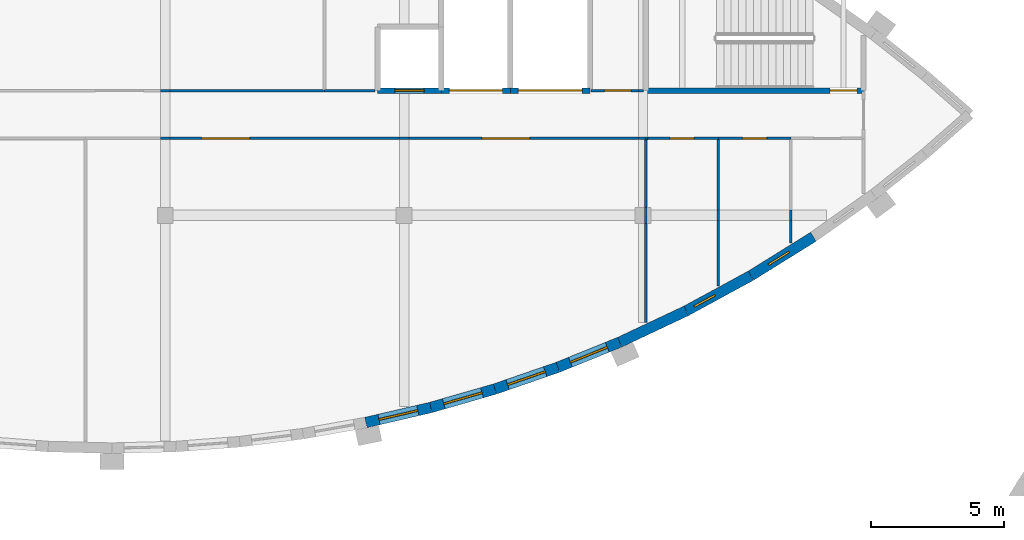
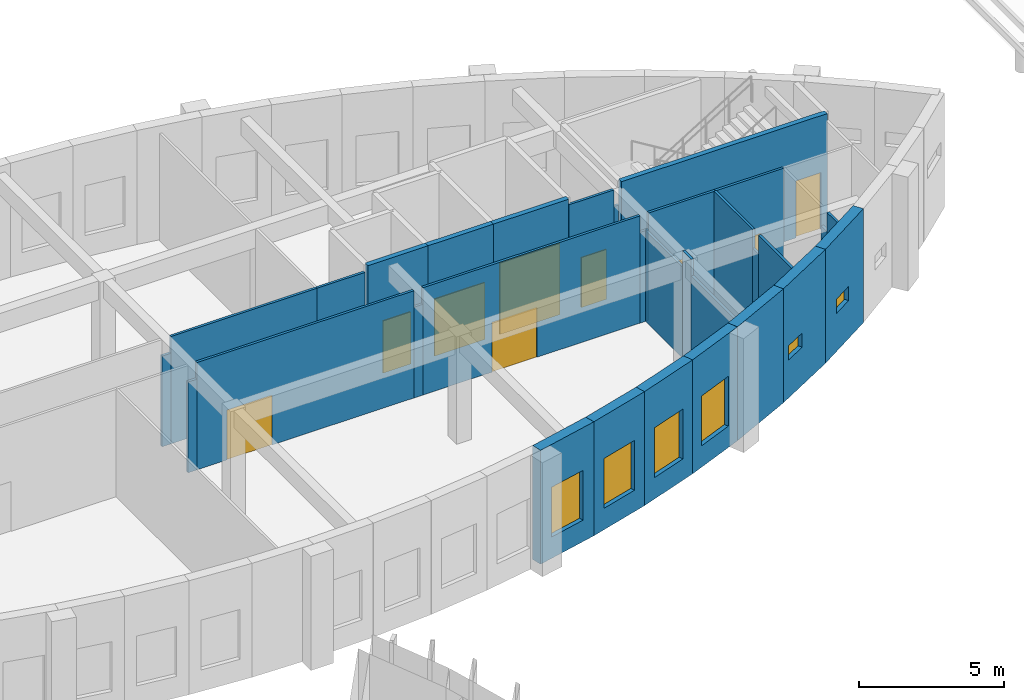
# One storey, part 66 of 93: 32 walls, 9 doors, 6 windows, 15 openings.
"""IFC4 building model written with IfcOpenShell, lengths in metres."""

from ifc_helpers import new_model, si_unit, direction, frame, frame_2d, origin, place, context, subcontext, project, spatial, rectangle, extrude, material, layer, layer_set, type_object, element, fill, save


model = new_model("IFC4")

# Units and contexts
model_context = context("Model", 3, precision=1e-05, world=origin(), true_north=direction((0.0, 1.0)))
body_context = subcontext(model_context, "Body", "Model", "MODEL_VIEW")
ifc_project = project(units=[si_unit("LENGTHUNIT", "METRE"), si_unit("AREAUNIT", "SQUARE_METRE"), si_unit("VOLUMEUNIT", "CUBIC_METRE"), si_unit("PLANEANGLEUNIT", "RADIAN"), si_unit("MASSUNIT", "GRAM", prefix="KILO")], contexts=[model_context])

# Site, building, storey
site_placement = place(None, origin())
site = spatial("IfcSite", under=ifc_project, at=site_placement, CompositionType="ELEMENT")
building_placement = place(site_placement, origin())
building = spatial("IfcBuilding", under=site, at=building_placement, Name="Tide Square Theatres", CompositionType="ELEMENT")
storey_placement = place(building_placement, frame((0.0, 0.0, 5.39990234375)))
storey = spatial("IfcBuildingStorey", under=building, at=storey_placement, Name="L01", CompositionType="ELEMENT", Elevation=5.39990234375)

# Walls
ifc_material_1 = material(Name="Gypsum board on steel studs", Category="steel")
ifc_layer_1 = layer(ifc_material_1, 0.10009765625)
ifc_layer_set_1 = layer_set([ifc_layer_1], Name="Gypsum board on steel studs")
wall_type_1 = type_object("IfcWallType", Name="Partition 100 thick", PredefinedType="PARTITIONING", material=ifc_layer_set_1)
wall_1_placement = place(storey_placement, frame((38.824951171875, 98.699951171875, 0.0), z_axis=(0.0, 0.0, 1.0), x_axis=(1.0, 0.0, 0.0)))
element("IfcWall", 1, at=wall_1_placement, inside=storey, type_object=wall_type_1, Name="Scenery Workshops partition", PredefinedType="PARTITIONING", context=body_context, shape_type="SweptSolid", body=[
    extrude(rectangle(XDim=0.35009765625, YDim=0.10009765625, at=frame_2d((0.175048828125, 0.0))), origin(), (0.0, 0.0, 1.0), 3.820068359375),
])
wall_2_placement = place(storey_placement, frame((39.175048828125, 98.699951171875, 0.0), z_axis=(0.0, 0.0, 1.0), x_axis=(1.0, 0.0, 0.0)))
element("IfcWall", 2, at=wall_2_placement, inside=storey, type_object=wall_type_1, Name="Scenery Workshops partition", PredefinedType="PARTITIONING", context=body_context, shape_type="SweptSolid", body=[
    extrude(rectangle(XDim=5.824951171875, YDim=0.10009765625, at=frame_2d((2.91259765625, 0.0))), origin(), (0.0, 0.0, 1.0), 4.52001953125),
])
wall_3_placement = place(storey_placement, frame((57.10009765625, 96.89990234375, 0.0), z_axis=(0.0, 0.0, 1.0), x_axis=(-1.0, 0.0, 0.0)))
element("IfcWall", 3, at=wall_3_placement, inside=storey, type_object=wall_type_1, Name="Scenery Workshops partition", PredefinedType="PARTITIONING", context=body_context, shape_type="SweptSolid", body=[
    extrude(rectangle(XDim=0.275146484375, YDim=0.10009765625, at=frame_2d((0.1376953125, 0.0))), origin(), (0.0, 0.0, 1.0), 3.820068359375),
])

# Wall, opening, door
wall_4_placement = place(storey_placement, frame((56.824951171875, 96.89990234375, 0.0), z_axis=(0.0, 0.0, 1.0), x_axis=(-1.0, 0.0, 0.0)))
wall_4 = element("IfcWall", 4, at=wall_4_placement, inside=storey, type_object=wall_type_1, Name="Scenery Workshops partition", PredefinedType="PARTITIONING", context=body_context, shape_type="SweptSolid", body=[
    extrude(rectangle(XDim=8.64990234375, YDim=0.10009765625, at=frame_2d((4.324951171875, 0.0))), origin(), (0.0, 0.0, 1.0), 4.52001953125),
])
opening_1_placement = place(wall_4_placement, frame((4.10009765625, 0.0, 0.0)))
opening_1 = element("IfcOpeningElement", 5, at=opening_1_placement, cuts=wall_4, Name="Opening W1-12", PredefinedType="OPENING", context=body_context, shape_type="SweptSolid", body=[
    extrude(rectangle(XDim=1.800048828125, YDim=2.10009765625, at=frame_2d((0.89990234375, 1.050048828125))), frame((0.0, 0.06005859375, 0.0), z_axis=(0.0, -1.0, 0.0), x_axis=(1.0, 0.0, 0.0)), (0.0, 0.0, 1.0), 0.1201171875),
])
ifc_material_2 = material(Name="Hardwood timber", Category="wood")
door_type_1 = type_object("IfcDoorType", Name="Door 1800 x 2100 double leaf", OperationType="DOUBLE_DOOR_SINGLE_SWING", PredefinedType="DOOR", material=ifc_material_2)
door_1_placement = place(opening_1_placement, origin())
door_1 = element("IfcDoor", 6, at=door_1_placement, inside=storey, type_object=door_type_1, Name="Scenery Workshops door W1-12 to Props Workshop", OperationType="DOUBLE_DOOR_SINGLE_SWING", OverallHeight=2.10009765625, OverallWidth=1.800048828125, PredefinedType="DOOR", context=body_context, shape_type="SweptSolid", body=[
    extrude(rectangle(XDim=1.800048828125, YDim=2.10009765625, at=frame_2d((0.89990234375, 1.050048828125))), frame((0.0, 0.02490234375, 0.0), z_axis=(0.0, -1.0, 0.0), x_axis=(1.0, 0.0, 0.0)), (0.0, 0.0, 1.0), 0.050048828125),
])
fill(opening_1, door_1)

# Wall
wall_5_placement = place(storey_placement, frame((48.175048828125, 96.89990234375, 0.0), z_axis=(0.0, 0.0, 1.0), x_axis=(-1.0, 0.0, 0.0)))
element("IfcWall", 7, at=wall_5_placement, inside=storey, type_object=wall_type_1, Name="Scenery Workshops partition", PredefinedType="PARTITIONING", context=body_context, shape_type="SweptSolid", body=[
    extrude(rectangle(XDim=0.35009765625, YDim=0.10009765625, at=frame_2d((0.175048828125, 0.0))), origin(), (0.0, 0.0, 1.0), 3.820068359375),
])

# Wall, opening, door
wall_6_placement = place(storey_placement, frame((47.824951171875, 96.89990234375, 0.0), z_axis=(0.0, 0.0, 1.0), x_axis=(-1.0, 0.0, 0.0)))
wall_6 = element("IfcWall", 8, at=wall_6_placement, inside=storey, type_object=wall_type_1, Name="Scenery Workshops partition", PredefinedType="PARTITIONING", context=body_context, shape_type="SweptSolid", body=[
    extrude(rectangle(XDim=8.64990234375, YDim=0.10009765625, at=frame_2d((4.324951171875, 0.0))), origin(), (0.0, 0.0, 1.0), 4.52001953125),
])
opening_2_placement = place(wall_6_placement, frame((5.64990234375, 0.0, 0.0)))
opening_2 = element("IfcOpeningElement", 9, at=opening_2_placement, cuts=wall_6, Name="Opening W1-11", PredefinedType="OPENING", context=body_context, shape_type="SweptSolid", body=[
    extrude(rectangle(XDim=1.800048828125, YDim=2.10009765625, at=frame_2d((0.89990234375, 1.050048828125))), frame((0.0, 0.06005859375, 0.0), z_axis=(0.0, -1.0, 0.0), x_axis=(1.0, 0.0, 0.0)), (0.0, 0.0, 1.0), 0.1201171875),
])
door_2_placement = place(opening_2_placement, origin())
door_2 = element("IfcDoor", 10, at=door_2_placement, inside=storey, type_object=door_type_1, Name="Scenery Workshops door W1-11 to Props Workshop", OperationType="DOUBLE_DOOR_SINGLE_SWING", OverallHeight=2.10009765625, OverallWidth=1.800048828125, PredefinedType="DOOR", context=body_context, shape_type="SweptSolid", body=[
    extrude(rectangle(XDim=1.800048828125, YDim=2.10009765625, at=frame_2d((0.89990234375, 1.050048828125))), frame((0.0, 0.02490234375, 0.0), z_axis=(0.0, -1.0, 0.0), x_axis=(1.0, 0.0, 0.0)), (0.0, 0.0, 1.0), 0.050048828125),
])
fill(opening_2, door_2)

# Walls
wall_7_placement = place(storey_placement, frame((39.175048828125, 96.89990234375, 0.0), z_axis=(0.0, 0.0, 1.0), x_axis=(-1.0, 0.0, 0.0)))
element("IfcWall", 11, at=wall_7_placement, inside=storey, type_object=wall_type_1, Name="Scenery Workshops partition", PredefinedType="PARTITIONING", context=body_context, shape_type="SweptSolid", body=[
    extrude(rectangle(XDim=0.35009765625, YDim=0.10009765625, at=frame_2d((0.175048828125, 0.0))), origin(), (0.0, 0.0, 1.0), 3.820068359375),
])
wall_8_placement = place(storey_placement, frame((45.0, 98.699951171875, 0.0), z_axis=(0.0, 0.0, 1.0), x_axis=(1.0, 0.0, 0.0)))
element("IfcWall", 12, at=wall_8_placement, inside=storey, type_object=wall_type_1, Name="Scenery Workshops partition", PredefinedType="PARTITIONING", context=body_context, shape_type="SweptSolid", body=[
    extrude(rectangle(XDim=1.909912109375, YDim=0.10009765625, at=frame_2d((0.955078125, 0.0))), origin(), (0.0, 0.0, 1.0), 4.52001953125),
])

# Wall, opening, door
wall_9_placement = place(storey_placement, frame((55.030029296875, 98.699951171875, 0.0), z_axis=(0.0, 0.0, 1.0), x_axis=(1.0, 0.0, 0.0)))
wall_9 = element("IfcWall", 13, at=wall_9_placement, inside=storey, type_object=wall_type_1, Name="Scenery Workshops partition", PredefinedType="PARTITIONING", context=body_context, shape_type="SweptSolid", body=[
    extrude(rectangle(XDim=1.794921875, YDim=0.10009765625, at=frame_2d((0.8974609375, 0.0))), origin(), (0.0, 0.0, 1.0), 4.52001953125),
])
opening_3_placement = place(wall_9_placement, frame((0.52001953125, 0.0, 0.0)))
opening_3 = element("IfcOpeningElement", 14, at=opening_3_placement, cuts=wall_9, Name="Opening W1-15", PredefinedType="OPENING", context=body_context, shape_type="SweptSolid", body=[
    extrude(rectangle(XDim=1.0, YDim=2.10009765625, at=frame_2d((0.5, 1.050048828125))), frame((0.0, 0.06005859375, 0.0), z_axis=(0.0, -1.0, 0.0), x_axis=(1.0, 0.0, 0.0)), (0.0, 0.0, 1.0), 0.1201171875),
])
ifc_material_3 = material(Name="Hardwood timber", Category="wood")
door_type_2 = type_object("IfcDoorType", Name="Door 1000 x 2100 single leaf", OperationType="NOTDEFINED", PredefinedType="DOOR", material=ifc_material_3)
door_3_placement = place(opening_3_placement, origin())
door_3 = element("IfcDoor", 15, at=door_3_placement, inside=storey, type_object=door_type_2, Name="Scenery Workshops door W1-15 to Staff Room", OperationType="SINGLE_SWING_RIGHT", OverallHeight=2.10009765625, OverallWidth=1.0, PredefinedType="DOOR", context=body_context, shape_type="SweptSolid", body=[
    extrude(rectangle(XDim=1.0, YDim=2.10009765625, at=frame_2d((0.5, 1.050048828125))), frame((0.0, 0.02490234375, 0.0), z_axis=(0.0, -1.0, 0.0), x_axis=(1.0, 0.0, 0.0)), (0.0, 0.0, 1.0), 0.050048828125),
])
fill(opening_3, door_3)

# Walls
wall_10_placement = place(storey_placement, frame((56.824951171875, 98.699951171875, 0.0), z_axis=(0.0, 0.0, 1.0), x_axis=(1.0, 0.0, 0.0)))
element("IfcWall", 16, at=wall_10_placement, inside=storey, type_object=wall_type_1, Name="Scenery Workshops partition", PredefinedType="PARTITIONING", context=body_context, shape_type="SweptSolid", body=[
    extrude(rectangle(XDim=0.195068359375, YDim=0.10009765625, at=frame_2d((0.09765625, 0.0))), origin(), (0.0, 0.0, 1.0), 3.820068359375),
])
wall_11_placement = place(storey_placement, frame((57.10009765625, 89.960205078125, 0.0), z_axis=(0.0, 0.0, 1.0), x_axis=(0.0, 1.0, 0.0)))
element("IfcWall", 17, at=wall_11_placement, inside=storey, type_object=wall_type_1, Name="Scenery Workshops partition", PredefinedType="PARTITIONING", context=body_context, shape_type="SweptSolid", body=[
    extrude(rectangle(XDim=3.73974609375, YDim=0.10009765625, at=frame_2d((1.869873046875, 0.0))), origin(), (0.0, 0.0, 1.0), 3.820068359375),
])
wall_12_placement = place(storey_placement, frame((57.10009765625, 93.699951171875, 0.0), z_axis=(0.0, 0.0, 1.0), x_axis=(0.0, 1.0, 0.0)))
element("IfcWall", 18, at=wall_12_placement, inside=storey, type_object=wall_type_1, Name="Scenery Workshops partition", PredefinedType="PARTITIONING", context=body_context, shape_type="SweptSolid", body=[
    extrude(rectangle(XDim=0.60009765625, YDim=0.10009765625, at=frame_2d((0.300048828125, 0.0))), origin(), (0.0, 0.0, 1.0), 4.52001953125),
])
wall_13_placement = place(storey_placement, frame((57.10009765625, 94.300048828125, 0.0), z_axis=(0.0, 0.0, 1.0), x_axis=(0.0, 1.0, 0.0)))
element("IfcWall", 19, at=wall_13_placement, inside=storey, type_object=wall_type_1, Name="Scenery Workshops partition", PredefinedType="PARTITIONING", context=body_context, shape_type="SweptSolid", body=[
    extrude(rectangle(XDim=2.570068359375, YDim=0.10009765625, at=frame_2d((1.28515625, 0.0))), origin(), (0.0, 0.0, 1.0), 3.820068359375),
])

# Wall, opening, door
wall_14_placement = place(storey_placement, frame((59.833251953125, 96.89990234375, 0.0), z_axis=(0.0, 0.0, 1.0), x_axis=(-1.0, 0.0, 0.0)))
wall_14 = element("IfcWall", 20, at=wall_14_placement, inside=storey, type_object=wall_type_1, Name="Scenery Workshops partition", PredefinedType="PARTITIONING", context=body_context, shape_type="SweptSolid", body=[
    extrude(rectangle(XDim=2.658203125, YDim=0.10009765625, at=frame_2d((1.3291015625, 0.0))), origin(), (0.0, 0.0, 1.0), 4.52001953125),
])
opening_4_placement = place(wall_14_placement, frame((0.916748046875, 0.0, 0.0)))
opening_4 = element("IfcOpeningElement", 21, at=opening_4_placement, cuts=wall_14, Name="Opening W1-04", PredefinedType="OPENING", context=body_context, shape_type="SweptSolid", body=[
    extrude(rectangle(XDim=0.89990234375, YDim=2.10009765625, at=frame_2d((0.449951171875, 1.050048828125))), frame((0.0, 0.06005859375, 0.0), z_axis=(0.0, -1.0, 0.0), x_axis=(1.0, 0.0, 0.0)), (0.0, 0.0, 1.0), 0.1201171875),
])
ifc_material_4 = material(Name="Hardwood timber", Category="wood")
door_type_3 = type_object("IfcDoorType", Name="Door 900 x 2100 single leaf", OperationType="NOTDEFINED", PredefinedType="DOOR", material=ifc_material_4)
door_4_placement = place(opening_4_placement, origin())
door_4 = element("IfcDoor", 22, at=door_4_placement, inside=storey, type_object=door_type_3, Name="Scenery Workshops door W1-04 to Gents WC E", OperationType="SINGLE_SWING_RIGHT", OverallHeight=2.10009765625, OverallWidth=0.89990234375, PredefinedType="DOOR", context=body_context, shape_type="SweptSolid", body=[
    extrude(rectangle(XDim=0.89990234375, YDim=2.10009765625, at=frame_2d((0.449951171875, 1.050048828125))), frame((0.0, 0.02490234375, 0.0), z_axis=(0.0, -1.0, 0.0), x_axis=(1.0, 0.0, 0.0)), (0.0, 0.0, 1.0), 0.050048828125),
])
fill(opening_4, door_4)

# Walls
wall_15_placement = place(storey_placement, frame((57.175048828125, 96.89990234375, 0.0), z_axis=(0.0, 0.0, 1.0), x_axis=(-1.0, 0.0, 0.0)))
element("IfcWall", 23, at=wall_15_placement, inside=storey, type_object=wall_type_1, Name="Scenery Workshops partition", PredefinedType="PARTITIONING", context=body_context, shape_type="SweptSolid", body=[
    extrude(rectangle(XDim=0.074951171875, YDim=0.10009765625, at=frame_2d((0.03759765625, 0.0))), origin(), (0.0, 0.0, 1.0), 3.820068359375),
])
wall_16_placement = place(storey_placement, frame((59.833251953125, 96.860107421875, 0.0), z_axis=(0.0, 0.0, 1.0), x_axis=(0.0, -1.0, 0.0)))
element("IfcWall", 24, at=wall_16_placement, inside=storey, type_object=wall_type_1, Name="Scenery Workshops partition", PredefinedType="PARTITIONING", context=body_context, shape_type="SweptSolid", body=[
    extrude(rectangle(XDim=2.66015625, YDim=0.10009765625, at=frame_2d((1.330078125, 0.0))), origin(), (0.0, 0.0, 1.0), 4.52001953125),
])
wall_17_placement = place(storey_placement, frame((59.833251953125, 94.199951171875, 0.0), z_axis=(0.0, 0.0, 1.0), x_axis=(0.0, -1.0, 0.0)))
element("IfcWall", 25, at=wall_17_placement, inside=storey, type_object=wall_type_1, Name="Scenery Workshops partition", PredefinedType="PARTITIONING", context=body_context, shape_type="SweptSolid", body=[
    extrude(rectangle(XDim=0.39990234375, YDim=0.10009765625, at=frame_2d((0.199951171875, 0.0))), origin(), (0.0, 0.0, 1.0), 3.72021484375),
])
wall_18_placement = place(storey_placement, frame((59.833251953125, 93.800048828125, 0.0), z_axis=(0.0, 0.0, 1.0), x_axis=(0.0, -1.0, 0.0)))
element("IfcWall", 26, at=wall_18_placement, inside=storey, type_object=wall_type_1, Name="Scenery Workshops partition", PredefinedType="PARTITIONING", context=body_context, shape_type="SweptSolid", body=[
    extrude(rectangle(XDim=2.455078125, YDim=0.10009765625, at=frame_2d((1.2275390625, 0.0))), origin(), (0.0, 0.0, 1.0), 4.52001953125),
])

# Wall, opening, door
wall_19_placement = place(storey_placement, frame((62.566650390625, 96.89990234375, 0.0), z_axis=(0.0, 0.0, 1.0), x_axis=(-1.0, 0.0, 0.0)))
wall_19 = element("IfcWall", 27, at=wall_19_placement, inside=storey, type_object=wall_type_1, Name="Scenery Workshops partition", PredefinedType="PARTITIONING", context=body_context, shape_type="SweptSolid", body=[
    extrude(rectangle(XDim=2.7333984375, YDim=0.10009765625, at=frame_2d((1.36669921875, 0.0))), origin(), (0.0, 0.0, 1.0), 4.52001953125),
])
opening_5_placement = place(wall_19_placement, frame((0.916748046875, 0.0, 0.0)))
opening_5 = element("IfcOpeningElement", 28, at=opening_5_placement, cuts=wall_19, Name="Opening W1-05", PredefinedType="OPENING", context=body_context, shape_type="SweptSolid", body=[
    extrude(rectangle(XDim=0.89990234375, YDim=2.10009765625, at=frame_2d((0.449951171875, 1.050048828125))), frame((0.0, 0.06005859375, 0.0), z_axis=(0.0, -1.0, 0.0), x_axis=(1.0, 0.0, 0.0)), (0.0, 0.0, 1.0), 0.1201171875),
])
door_5_placement = place(opening_5_placement, origin())
door_5 = element("IfcDoor", 29, at=door_5_placement, inside=storey, type_object=door_type_3, Name="Scenery Workshops door W1-05 to Ladies WC E", OperationType="SINGLE_SWING_RIGHT", OverallHeight=2.10009765625, OverallWidth=0.89990234375, PredefinedType="DOOR", context=body_context, shape_type="SweptSolid", body=[
    extrude(rectangle(XDim=0.89990234375, YDim=2.10009765625, at=frame_2d((0.449951171875, 1.050048828125))), frame((0.0, 0.02490234375, 0.0), z_axis=(0.0, -1.0, 0.0), x_axis=(1.0, 0.0, 0.0)), (0.0, 0.0, 1.0), 0.050048828125),
])
fill(opening_5, door_5)

# Walls
wall_20_placement = place(storey_placement, frame((62.566650390625, 94.199951171875, 0.0), z_axis=(0.0, 0.0, 1.0), x_axis=(0.0, -1.0, 0.0)))
element("IfcWall", 30, at=wall_20_placement, inside=storey, type_object=wall_type_1, Name="Scenery Workshops partition", PredefinedType="PARTITIONING", context=body_context, shape_type="SweptSolid", body=[
    extrude(rectangle(XDim=0.39990234375, YDim=0.10009765625, at=frame_2d((0.199951171875, 0.0))), origin(), (0.0, 0.0, 1.0), 3.72021484375),
])
wall_21_placement = place(storey_placement, frame((62.566650390625, 93.800048828125, 0.0), z_axis=(0.0, 0.0, 1.0), x_axis=(0.0, -1.0, 0.0)))
element("IfcWall", 31, at=wall_21_placement, inside=storey, type_object=wall_type_1, Name="Scenery Workshops partition", PredefinedType="PARTITIONING", context=body_context, shape_type="SweptSolid", body=[
    extrude(rectangle(XDim=0.84033203125, YDim=0.10009765625, at=frame_2d((0.420166015625, 0.0))), origin(), (0.0, 0.0, 1.0), 4.52001953125),
])

# Wall, opening, window
ifc_material_5 = material(Name="Concrete C40", Category="concrete")
ifc_layer_2 = layer(ifc_material_5, 0.39990234375)
ifc_layer_set_2 = layer_set([ifc_layer_2], Name="Concrete C40")
wall_type_2 = type_object("IfcWallType", Name="RC curved wall 400 thick", PredefinedType="SOLIDWALL", material=ifc_layer_set_2)
wall_22_placement = place(storey_placement, frame((46.559814453125, 86.197021484375, 0.0), z_axis=(0.0, 0.0, 1.0), x_axis=(0.974210649093, 0.225640446716, 0.0)))
wall_22 = element("IfcWall", 32, at=wall_22_placement, inside=storey, type_object=wall_type_2, Name="Scenery Workshops perimeter wall 018", PredefinedType="SOLIDWALL", context=body_context, shape_type="SweptSolid", body=[
    extrude(rectangle(XDim=2.51123046875, YDim=0.39990234375, at=frame_2d((1.255615234375, 0.0))), origin(), (0.0, 0.0, 1.0), 4.800048828125),
])
opening_6_placement = place(wall_22_placement, frame((0.505615234375, 0.0, 0.89990234375)))
opening_6 = element("IfcOpeningElement", 33, at=opening_6_placement, cuts=wall_22, Name="Opening WN-01", PredefinedType="OPENING", context=body_context, shape_type="SweptSolid", body=[
    extrude(rectangle(XDim=1.5, YDim=2.10009765625, at=frame_2d((0.75, 1.050048828125))), frame((0.0, 0.2099609375, 0.0), z_axis=(0.0, -1.0, 0.0), x_axis=(1.0, 0.0, 0.0)), (0.0, 0.0, 1.0), 0.419921875),
])
ifc_material_6 = material(Name="Aluminium with laminated glass", Category="aluminium")
window_type_1 = type_object("IfcWindowType", Name="Window 1500 x 2100", PartitioningType="SINGLE_PANEL", PredefinedType="WINDOW", material=ifc_material_6)
window_1_placement = place(opening_6_placement, origin())
window_1 = element("IfcWindow", 34, at=window_1_placement, inside=storey, type_object=window_type_1, Name="Scenery Workshops window L01-60", OverallHeight=2.10009765625, OverallWidth=1.5, PartitioningType="SINGLE_PANEL", PredefinedType="WINDOW", context=body_context, shape_type="SweptSolid", body=[
    extrude(rectangle(XDim=1.5, YDim=2.10009765625, at=frame_2d((0.75, 1.050048828125))), frame((0.0, 0.030029296875, 0.0), z_axis=(0.0, -1.0, 0.0), x_axis=(1.0, 0.0, 0.0)), (0.0, 0.0, 1.0), 0.06005859375),
])
fill(opening_6, window_1)

wall_23_placement = place(storey_placement, frame((49.00634765625, 86.763671875, 0.0), z_axis=(0.0, 0.0, 1.0), x_axis=(0.961008605775, 0.276518461637, 0.0)))
wall_23 = element("IfcWall", 35, at=wall_23_placement, inside=storey, type_object=wall_type_2, Name="Scenery Workshops perimeter wall 019", PredefinedType="SOLIDWALL", context=body_context, shape_type="SweptSolid", body=[
    extrude(rectangle(XDim=2.510986328125, YDim=0.39990234375, at=frame_2d((1.25537109375, 0.0))), origin(), (0.0, 0.0, 1.0), 4.800048828125),
])
opening_7_placement = place(wall_23_placement, frame((0.505615234375, 0.0, 0.89990234375)))
opening_7 = element("IfcOpeningElement", 36, at=opening_7_placement, cuts=wall_23, Name="Opening WN-01", PredefinedType="OPENING", context=body_context, shape_type="SweptSolid", body=[
    extrude(rectangle(XDim=1.5, YDim=2.10009765625, at=frame_2d((0.75, 1.050048828125))), frame((0.0, 0.2099609375, 0.0), z_axis=(0.0, -1.0, 0.0), x_axis=(1.0, 0.0, 0.0)), (0.0, 0.0, 1.0), 0.419921875),
])
window_2_placement = place(opening_7_placement, origin())
window_2 = element("IfcWindow", 37, at=window_2_placement, inside=storey, type_object=window_type_1, Name="Scenery Workshops window L01-61", OverallHeight=2.10009765625, OverallWidth=1.5, PartitioningType="SINGLE_PANEL", PredefinedType="WINDOW", context=body_context, shape_type="SweptSolid", body=[
    extrude(rectangle(XDim=1.5, YDim=2.10009765625, at=frame_2d((0.75, 1.050048828125))), frame((0.0, 0.030029296875, 0.0), z_axis=(0.0, -1.0, 0.0), x_axis=(1.0, 0.0, 0.0)), (0.0, 0.0, 1.0), 0.06005859375),
])
fill(opening_7, window_2)

wall_24_placement = place(storey_placement, frame((51.41943359375, 87.4580078125, 0.0), z_axis=(0.0, 0.0, 1.0), x_axis=(0.94514546406, 0.326649738659, 0.0)))
wall_24 = element("IfcWall", 38, at=wall_24_placement, inside=storey, type_object=wall_type_2, Name="Scenery Workshops perimeter wall 020", PredefinedType="SOLIDWALL", context=body_context, shape_type="SweptSolid", body=[
    extrude(rectangle(XDim=2.51123046875, YDim=0.39990234375, at=frame_2d((1.255615234375, 0.0))), origin(), (0.0, 0.0, 1.0), 4.800048828125),
])
opening_8_placement = place(wall_24_placement, frame((0.505615234375, 0.0, 0.89990234375)))
opening_8 = element("IfcOpeningElement", 39, at=opening_8_placement, cuts=wall_24, Name="Opening WN-01", PredefinedType="OPENING", context=body_context, shape_type="SweptSolid", body=[
    extrude(rectangle(XDim=1.5, YDim=2.10009765625, at=frame_2d((0.75, 1.050048828125))), frame((0.0, 0.2099609375, 0.0), z_axis=(0.0, -1.0, 0.0), x_axis=(1.0, 0.0, 0.0)), (0.0, 0.0, 1.0), 0.419921875),
])
window_3_placement = place(opening_8_placement, origin())
window_3 = element("IfcWindow", 40, at=window_3_placement, inside=storey, type_object=window_type_1, Name="Scenery Workshops window L01-62", OverallHeight=2.10009765625, OverallWidth=1.5, PartitioningType="SINGLE_PANEL", PredefinedType="WINDOW", context=body_context, shape_type="SweptSolid", body=[
    extrude(rectangle(XDim=1.5, YDim=2.10009765625, at=frame_2d((0.75, 1.050048828125))), frame((0.0, 0.030029296875, 0.0), z_axis=(0.0, -1.0, 0.0), x_axis=(1.0, 0.0, 0.0)), (0.0, 0.0, 1.0), 0.06005859375),
])
fill(opening_8, window_3)

wall_25_placement = place(storey_placement, frame((53.79296875, 88.2783203125, 0.0), z_axis=(0.0, 0.0, 1.0), x_axis=(0.926722795862, 0.375745738007, 0.0)))
wall_25 = element("IfcWall", 41, at=wall_25_placement, inside=storey, type_object=wall_type_2, Name="Scenery Workshops perimeter wall 021", PredefinedType="SOLIDWALL", context=body_context, shape_type="SweptSolid", body=[
    extrude(rectangle(XDim=2.5107421875, YDim=0.39990234375, at=frame_2d((1.25537109375, 0.0))), origin(), (0.0, 0.0, 1.0), 4.800048828125),
])
opening_9_placement = place(wall_25_placement, frame((0.50537109375, 0.0, 0.89990234375)))
opening_9 = element("IfcOpeningElement", 42, at=opening_9_placement, cuts=wall_25, Name="Opening WN-01", PredefinedType="OPENING", context=body_context, shape_type="SweptSolid", body=[
    extrude(rectangle(XDim=1.5, YDim=2.10009765625, at=frame_2d((0.75, 1.050048828125))), frame((0.0, 0.2099609375, 0.0), z_axis=(0.0, -1.0, 0.0), x_axis=(1.0, 0.0, 0.0)), (0.0, 0.0, 1.0), 0.419921875),
])
window_4_placement = place(opening_9_placement, origin())
window_4 = element("IfcWindow", 43, at=window_4_placement, inside=storey, type_object=window_type_1, Name="Scenery Workshops window L01-63", OverallHeight=2.10009765625, OverallWidth=1.5, PartitioningType="SINGLE_PANEL", PredefinedType="WINDOW", context=body_context, shape_type="SweptSolid", body=[
    extrude(rectangle(XDim=1.5, YDim=2.10009765625, at=frame_2d((0.75, 1.050048828125))), frame((0.0, 0.030029296875, 0.0), z_axis=(0.0, -1.0, 0.0), x_axis=(1.0, 0.0, 0.0)), (0.0, 0.0, 1.0), 0.06005859375),
])
fill(opening_9, window_4)

# Wall
wall_26_placement = place(storey_placement, frame((56.11962890625, 89.2216796875, 0.0), z_axis=(0.0, 0.0, 1.0), x_axis=(0.904527098751, 0.42641614372, 0.0)))
element("IfcWall", 44, at=wall_26_placement, inside=storey, type_object=wall_type_2, Name="Scenery Workshops perimeter wall 022", PredefinedType="SOLIDWALL", context=body_context, shape_type="SweptSolid", body=[
    extrude(rectangle(XDim=2.772216796875, YDim=0.39990234375, at=frame_2d((1.38623046875, 0.0))), origin(), (0.0, 0.0, 1.0), 4.800048828125),
])

# Wall, opening, window
wall_27_placement = place(storey_placement, frame((58.627197265625, 90.40380859375, 0.0), z_axis=(0.0, 0.0, 1.0), x_axis=(0.878292493566, 0.478123724308, 0.0)))
wall_27 = element("IfcWall", 45, at=wall_27_placement, inside=storey, type_object=wall_type_2, Name="Scenery Workshops perimeter wall 023", PredefinedType="SOLIDWALL", context=body_context, shape_type="SweptSolid", body=[
    extrude(rectangle(XDim=2.771728515625, YDim=0.39990234375, at=frame_2d((1.3857421875, 0.0))), origin(), (0.0, 0.0, 1.0), 4.800048828125),
])
opening_10_placement = place(wall_27_placement, frame((0.3359375, 0.0, 1.60009765625)))
opening_10 = element("IfcOpeningElement", 46, at=opening_10_placement, cuts=wall_27, Name="Opening WN-12", PredefinedType="OPENING", context=body_context, shape_type="SweptSolid", body=[
    extrude(rectangle(XDim=0.89990234375, YDim=0.60009765625, at=frame_2d((0.449951171875, 0.300048828125))), frame((0.0, 0.2099609375, 0.0), z_axis=(0.0, -1.0, 0.0), x_axis=(1.0, 0.0, 0.0)), (0.0, 0.0, 1.0), 0.419921875),
])
ifc_material_7 = material(Name="Aluminium with laminated glass", Category="aluminium")
window_type_2 = type_object("IfcWindowType", Name="Window 900 x 600", PartitioningType="SINGLE_PANEL", PredefinedType="WINDOW", material=ifc_material_7)
window_5_placement = place(opening_10_placement, origin())
window_5 = element("IfcWindow", 47, at=window_5_placement, inside=storey, type_object=window_type_2, Name="Scenery Workshops window L01-64", OverallHeight=0.60009765625, OverallWidth=0.89990234375, PartitioningType="SINGLE_PANEL", PredefinedType="WINDOW", context=body_context, shape_type="SweptSolid", body=[
    extrude(rectangle(XDim=0.89990234375, YDim=0.60009765625, at=frame_2d((0.449951171875, 0.300048828125))), frame((0.0, 0.030029296875, 0.0), z_axis=(0.0, -1.0, 0.0), x_axis=(1.0, 0.0, 0.0)), (0.0, 0.0, 1.0), 0.06005859375),
])
fill(opening_10, window_5)

wall_28_placement = place(storey_placement, frame((61.0615234375, 91.72900390625, 0.0), z_axis=(0.0, 0.0, 1.0), x_axis=(0.84912946359, 0.528184772653, 0.0)))
wall_28 = element("IfcWall", 48, at=wall_28_placement, inside=storey, type_object=wall_type_2, Name="Scenery Workshops perimeter wall 024", PredefinedType="SOLIDWALL", context=body_context, shape_type="SweptSolid", body=[
    extrude(rectangle(XDim=2.77197265625, YDim=0.39990234375, at=frame_2d((1.385986328125, 0.0))), origin(), (0.0, 0.0, 1.0), 4.800048828125),
])
opening_11_placement = place(wall_28_placement, frame((0.785888671875, 0.0, 1.60009765625)))
opening_11 = element("IfcOpeningElement", 49, at=opening_11_placement, cuts=wall_28, Name="Opening WN-12", PredefinedType="OPENING", context=body_context, shape_type="SweptSolid", body=[
    extrude(rectangle(XDim=0.89990234375, YDim=0.60009765625, at=frame_2d((0.449951171875, 0.300048828125))), frame((0.0, 0.2099609375, 0.0), z_axis=(0.0, -1.0, 0.0), x_axis=(1.0, 0.0, 0.0)), (0.0, 0.0, 1.0), 0.419921875),
])
window_6_placement = place(opening_11_placement, origin())
window_6 = element("IfcWindow", 50, at=window_6_placement, inside=storey, type_object=window_type_2, Name="Scenery Workshops window L01-65", OverallHeight=0.60009765625, OverallWidth=0.89990234375, PartitioningType="SINGLE_PANEL", PredefinedType="WINDOW", context=body_context, shape_type="SweptSolid", body=[
    extrude(rectangle(XDim=0.89990234375, YDim=0.60009765625, at=frame_2d((0.449951171875, 0.300048828125))), frame((0.0, 0.030029296875, 0.0), z_axis=(0.0, -1.0, 0.0), x_axis=(1.0, 0.0, 0.0)), (0.0, 0.0, 1.0), 0.06005859375),
])
fill(opening_11, window_6)

# Wall, opening, door
ifc_material_8 = material(Name="Concrete C40", Category="concrete")
ifc_layer_3 = layer(ifc_material_8, 0.199951171875)
ifc_layer_set_3 = layer_set([ifc_layer_3], Name="Concrete C40")
wall_type_3 = type_object("IfcWallType", Name="RC shear wall 200 thick", PredefinedType="SHEAR", material=ifc_layer_set_3)
wall_29_placement = place(storey_placement, frame((52.0, 98.699951171875, 0.0), z_axis=(0.0, 0.0, 1.0), x_axis=(-1.0, 0.0, 0.0)))
wall_29 = element("IfcWall", 51, at=wall_29_placement, inside=storey, type_object=wall_type_3, Name="Scenery Workshops lift shaft wall", PredefinedType="SHEAR", context=body_context, shape_type="SweptSolid", body=[
    extrude(rectangle(XDim=2.60009765625, YDim=0.199951171875, at=frame_2d((1.300048828125, 0.0))), origin(), (0.0, 0.0, 1.0), 4.800048828125),
])
opening_12_placement = place(wall_29_placement, frame((0.300048828125, 0.0, 0.0)))
opening_12 = element("IfcOpeningElement", 52, at=opening_12_placement, cuts=wall_29, Name="Opening LD-W2-1", PredefinedType="OPENING", context=body_context, shape_type="SweptSolid", body=[
    extrude(rectangle(XDim=2.0, YDim=2.39990234375, at=frame_2d((1.0, 1.199951171875))), frame((0.0, 0.10986328125, 0.0), z_axis=(0.0, -1.0, 0.0), x_axis=(1.0, 0.0, 0.0)), (0.0, 0.0, 1.0), 0.219970703125),
])
ifc_material_9 = material(Name="Painted steel", Category="steel")
door_type_4 = type_object("IfcDoorType", Name="Door 2000 x 2400 landing sliding", OperationType="SLIDING_TO_LEFT", PredefinedType="DOOR", material=ifc_material_9)
door_6_placement = place(opening_12_placement, origin())
door_6 = element("IfcDoor", 53, at=door_6_placement, inside=storey, type_object=door_type_4, Name="Scenery Workshops lift landing door 2 L01", OperationType="SLIDING_TO_LEFT", OverallHeight=2.39990234375, OverallWidth=2.0, PredefinedType="DOOR", context=body_context, shape_type="SweptSolid", body=[
    extrude(rectangle(XDim=2.0, YDim=2.39990234375, at=frame_2d((1.0, 1.199951171875))), frame((0.0, 0.02490234375, 0.0), z_axis=(0.0, -1.0, 0.0), x_axis=(1.0, 0.0, 0.0)), (0.0, 0.0, 1.0), 0.050048828125),
])
fill(opening_12, door_6)

wall_30_placement = place(storey_placement, frame((49.39990234375, 98.699951171875, 0.0), z_axis=(0.0, 0.0, 1.0), x_axis=(-1.0, 0.0, 0.0)))
wall_30 = element("IfcWall", 54, at=wall_30_placement, inside=storey, type_object=wall_type_3, Name="Scenery Workshops lift shaft wall", PredefinedType="SHEAR", context=body_context, shape_type="SweptSolid", body=[
    extrude(rectangle(XDim=2.39990234375, YDim=0.199951171875, at=frame_2d((1.199951171875, 0.0))), origin(), (0.0, 0.0, 1.0), 4.800048828125),
])
opening_13_placement = place(wall_30_placement, frame((0.64990234375, 0.0, 0.0)))
opening_13 = element("IfcOpeningElement", 55, at=opening_13_placement, cuts=wall_30, Name="Opening LD-W1-1", PredefinedType="OPENING", context=body_context, shape_type="SweptSolid", body=[
    extrude(rectangle(XDim=1.10009765625, YDim=2.199951171875, at=frame_2d((0.550048828125, 1.10009765625))), frame((0.0, 0.10986328125, 0.0), z_axis=(0.0, -1.0, 0.0), x_axis=(1.0, 0.0, 0.0)), (0.0, 0.0, 1.0), 0.219970703125),
])
ifc_material_10 = material(Name="Painted steel", Category="steel")
door_type_5 = type_object("IfcDoorType", Name="Door 1100 x 2200 sliding", OperationType="SLIDING_TO_LEFT", PredefinedType="DOOR", material=ifc_material_10)
door_7_placement = place(opening_13_placement, origin())
door_7 = element("IfcDoor", 56, at=door_7_placement, inside=storey, type_object=door_type_5, Name="Scenery Workshops lift landing door 1 L01", OperationType="SLIDING_TO_LEFT", OverallHeight=2.199951171875, OverallWidth=1.10009765625, PredefinedType="DOOR", context=body_context, shape_type="SweptSolid", body=[
    extrude(rectangle(XDim=1.10009765625, YDim=2.199951171875, at=frame_2d((0.550048828125, 1.10009765625))), frame((0.0, 0.02490234375, 0.0), z_axis=(0.0, -1.0, 0.0), x_axis=(1.0, 0.0, 0.0)), (0.0, 0.0, 1.0), 0.050048828125),
])
fill(opening_13, door_7)

wall_31_placement = place(storey_placement, frame((55.0, 98.699951171875, 0.0), z_axis=(0.0, 0.0, 1.0), x_axis=(-1.0, 0.0, 0.0)))
wall_31 = element("IfcWall", 57, at=wall_31_placement, inside=storey, type_object=wall_type_3, Name="Scenery Workshops lift shaft wall", PredefinedType="SHEAR", context=body_context, shape_type="SweptSolid", body=[
    extrude(rectangle(XDim=3.0, YDim=0.199951171875, at=frame_2d((1.5, 0.0))), origin(), (0.0, 0.0, 1.0), 4.800048828125),
])
opening_14_placement = place(wall_31_placement, frame((0.300048828125, 0.0, 0.0)))
opening_14 = element("IfcOpeningElement", 58, at=opening_14_placement, cuts=wall_31, Name="Opening LD-W3-1", PredefinedType="OPENING", context=body_context, shape_type="SweptSolid", body=[
    extrude(rectangle(XDim=2.39990234375, YDim=3.0, at=frame_2d((1.199951171875, 1.5))), frame((0.0, 0.10986328125, 0.0), z_axis=(0.0, -1.0, 0.0), x_axis=(1.0, 0.0, 0.0)), (0.0, 0.0, 1.0), 0.219970703125),
])
ifc_material_11 = material(Name="Painted steel", Category="steel")
door_type_6 = type_object("IfcDoorType", Name="Door 2400 x 3000 bi-parting sliding", OperationType="DOUBLE_DOOR_SLIDING", PredefinedType="DOOR", material=ifc_material_11)
door_8_placement = place(opening_14_placement, origin())
door_8 = element("IfcDoor", 59, at=door_8_placement, inside=storey, type_object=door_type_6, Name="Scenery Workshops lift landing door 3 L01", OperationType="DOUBLE_DOOR_SLIDING", OverallHeight=3.0, OverallWidth=2.39990234375, PredefinedType="DOOR", context=body_context, shape_type="SweptSolid", body=[
    extrude(rectangle(XDim=2.39990234375, YDim=3.0, at=frame_2d((1.199951171875, 1.5))), frame((0.0, 0.02490234375, 0.0), z_axis=(0.0, -1.0, 0.0), x_axis=(1.0, 0.0, 0.0)), (0.0, 0.0, 1.0), 0.050048828125),
])
fill(opening_14, door_8)

wall_32_placement = place(storey_placement, frame((65.300048828125, 98.699951171875, 0.0), z_axis=(0.0, 0.0, 1.0), x_axis=(-1.0, 0.0, 0.0)))
wall_32 = element("IfcWall", 60, at=wall_32_placement, inside=storey, type_object=wall_type_3, Name="Scenery Workshops stair enclosure wall", PredefinedType="SHEAR", context=body_context, shape_type="SweptSolid", body=[
    extrude(rectangle(XDim=8.199951171875, YDim=0.199951171875, at=frame_2d((4.10009765625, 0.0))), origin(), (0.0, 0.0, 1.0), 4.800048828125),
])
opening_15_placement = place(wall_32_placement, frame((0.25, 0.0, 0.0)))
opening_15 = element("IfcOpeningElement", 61, at=opening_15_placement, cuts=wall_32, Name="Opening W1-17", PredefinedType="OPENING", context=body_context, shape_type="SweptSolid", body=[
    extrude(rectangle(XDim=1.0, YDim=2.39990234375, at=frame_2d((0.5, 1.199951171875))), frame((0.0, 0.10986328125, 0.0), z_axis=(0.0, -1.0, 0.0), x_axis=(1.0, 0.0, 0.0)), (0.0, 0.0, 1.0), 0.219970703125),
])
ifc_material_12 = material(Name="Hardwood timber", Category="wood")
door_type_7 = type_object("IfcDoorType", Name="Door 1000 x 2400 single leaf", OperationType="NOTDEFINED", PredefinedType="DOOR", material=ifc_material_12)
door_9_placement = place(opening_15_placement, origin())
door_9 = element("IfcDoor", 62, at=door_9_placement, inside=storey, type_object=door_type_7, Name="Scenery Workshops door W1-17 stair door to Stair 2", OperationType="SINGLE_SWING_LEFT", OverallHeight=2.39990234375, OverallWidth=1.0, PredefinedType="DOOR", context=body_context, shape_type="SweptSolid", body=[
    extrude(rectangle(XDim=1.0, YDim=2.39990234375, at=frame_2d((0.5, 1.199951171875))), frame((0.0, 0.02490234375, 0.0), z_axis=(0.0, -1.0, 0.0), x_axis=(1.0, 0.0, 0.0)), (0.0, 0.0, 1.0), 0.050048828125),
])
fill(opening_15, door_9)

save(model, "model.ifc")
